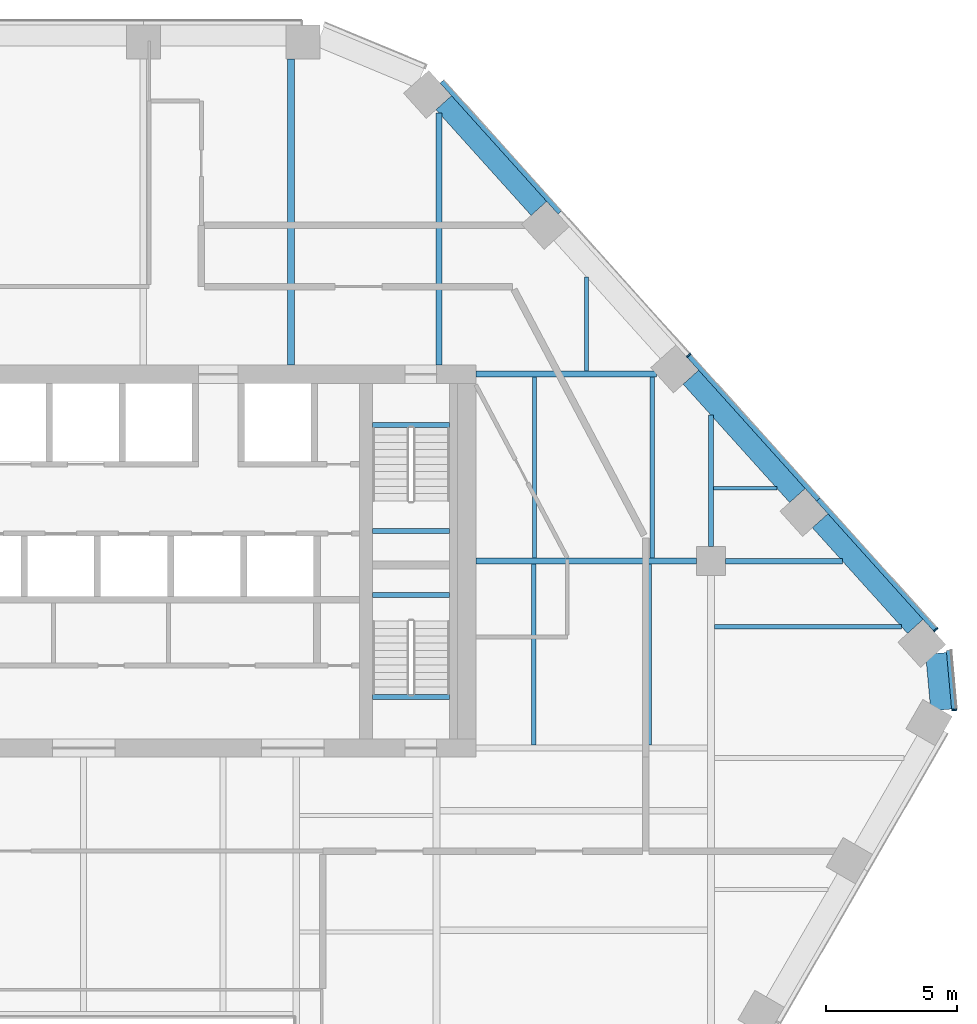
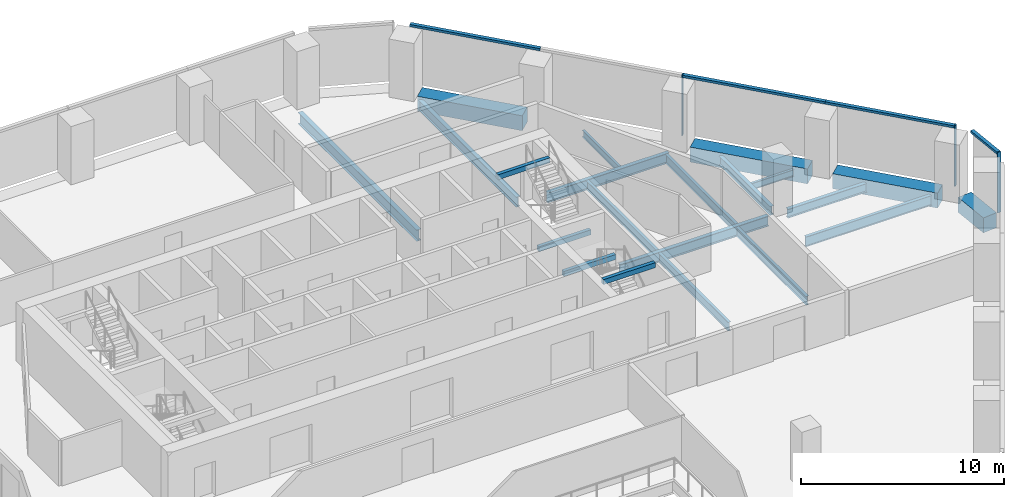
# One storey, part 8 of 16: 21 beams, 7 members, 2 elements without a shape of their own.
"""IFC4 building model written with IfcOpenShell, lengths in metres."""

from ifc_helpers import new_model, si_unit, direction, frame, origin, origin_2d, place, context, subcontext, project, spatial, rectangle, i_section, extrude, material, layer, layer_set, material_profile, profile_set, type_object, element, aggregate, save


model = new_model("IFC4")

# Units and contexts
model_context = context("Model", 3, precision=1e-05, world=origin(), true_north=direction((0.0, 1.0)))
body_context = subcontext(model_context, "Body", "Model", "MODEL_VIEW")
ifc_project = project(units=[si_unit("LENGTHUNIT", "METRE"), si_unit("AREAUNIT", "SQUARE_METRE"), si_unit("VOLUMEUNIT", "CUBIC_METRE"), si_unit("PLANEANGLEUNIT", "RADIAN"), si_unit("MASSUNIT", "GRAM", prefix="KILO")], contexts=[model_context])

# Site, building, storey
site_placement = place(None, origin())
site = spatial("IfcSite", under=ifc_project, at=site_placement, CompositionType="ELEMENT")
building_placement = place(site_placement, origin())
building = spatial("IfcBuilding", under=site, at=building_placement, Name="Isthmus Gate Tower", CompositionType="ELEMENT")
storey_placement = place(building_placement, frame((0.0, 0.0, 170.800048828125)))
storey = spatial("IfcBuildingStorey", under=building, at=storey_placement, Name="L42", CompositionType="ELEMENT", Elevation=170.800048828125)

# Curtain wall, member
ifc_material_1 = material(Name="Aluminium, pale champagne anodised", Category="aluminium")
ifc_layer = layer(ifc_material_1, 0.199951171875)
ifc_layer_set = layer_set([ifc_layer], Name="CW-1 UNITISED CURTAIN WALL 200 DEEP")
curtain_wall_type = type_object("IfcCurtainWallType", Name="CW-1 UNITISED CURTAIN WALL 200 DEEP", PredefinedType="NOTDEFINED", material=ifc_layer_set)
curtain_wall_1_placement = place(storey_placement, origin())
curtain_wall_1 = element("IfcCurtainWall", 1, at=curtain_wall_1_placement, inside=storey, type_object=curtain_wall_type, Name="CW-1 SE-NE L42", PredefinedType="NOTDEFINED")
ifc_material_2 = material(Name="Aluminium, pale champagne anodised", Category="aluminium")
ifc_material_profile_1 = material_profile(ifc_material_2, rectangle(XDim=0.06005859375, YDim=0.199951171875, at=origin_2d()), Name="60x200")
ifc_profile_set_1 = profile_set([ifc_material_profile_1], Name="Aluminium, pale champagne anodised")
member_type_1 = type_object("IfcMemberType", Name="CW-1 MULLION 60 X 200", PredefinedType="MULLION", material=ifc_profile_set_1)
member_1_placement = place(storey_placement, frame((33.307861328125, 1.804443359375, 0.0), z_axis=(0.0, 0.0, 1.0), x_axis=(-0.089396669717, 0.995996102123, 0.0)))
member_1 = element("IfcMember", 2, at=member_1_placement, type_object=member_type_1, Name="CW-1 mullion", PredefinedType="MULLION", context=body_context, shape_type="SweptSolid", body=[
    extrude(rectangle(XDim=0.06005859375, YDim=0.199951171875, at=origin_2d()), origin(), (0.0, 0.0, 1.0), 3.64990234375),
])

# Curtain wall, members
curtain_wall_2_placement = place(storey_placement, origin())
curtain_wall_2 = element("IfcCurtainWall", 3, at=curtain_wall_2_placement, inside=storey, type_object=curtain_wall_type, Name="CW-1 NE L42", PredefinedType="NOTDEFINED")
member_2_placement = place(storey_placement, frame((32.602783203125, 4.871337890625, 0.0), z_axis=(0.0, 0.0, 1.0), x_axis=(-0.669130606359, 0.743144825477, 0.0)))
member_2 = element("IfcMember", 4, at=member_2_placement, type_object=member_type_1, Name="CW-1 mullion", PredefinedType="MULLION", context=body_context, shape_type="SweptSolid", body=[
    extrude(rectangle(XDim=0.06005859375, YDim=0.199951171875, at=origin_2d()), origin(), (0.0, 0.0, 1.0), 3.64990234375),
])
member_3_placement = place(storey_placement, frame((23.14697265625, 15.373046875, 0.0), z_axis=(0.0, 0.0, 1.0), x_axis=(-0.669130606359, 0.743144825477, 0.0)))
member_3 = element("IfcMember", 5, at=member_3_placement, type_object=member_type_1, Name="CW-1 mullion", PredefinedType="MULLION", context=body_context, shape_type="SweptSolid", body=[
    extrude(rectangle(XDim=0.06005859375, YDim=0.199951171875, at=origin_2d()), origin(), (0.0, 0.0, 1.0), 3.64990234375),
])

# Member
ifc_material_3 = material(Name="Aluminium, pale champagne anodised", Category="aluminium")
ifc_material_profile_2 = material_profile(ifc_material_3, rectangle(XDim=0.199951171875, YDim=0.139892578125, at=origin_2d()), Name="200x140")
ifc_profile_set_2 = profile_set([ifc_material_profile_2], Name="Aluminium, pale champagne anodised")
member_type_2 = type_object("IfcMemberType", Name="CW-1 TRANSOM 200 X 140", PredefinedType="USERDEFINED", material=ifc_profile_set_2)
member_4_placement = place(storey_placement, frame((33.30517578125, 1.83447265625, 3.579833984375), z_axis=(-0.089395362867, 0.995996219419, 0.0), x_axis=(-0.995996219419, -0.089395362867, 0.0)))
member_4 = element("IfcMember", 6, at=member_4_placement, type_object=member_type_2, Name="CW-1 transom", ObjectType="TRANSOM", PredefinedType="USERDEFINED", context=body_context, shape_type="SweptSolid", body=[
    extrude(rectangle(XDim=0.199951171875, YDim=0.139892578125, at=origin_2d()), origin(), (0.0, 0.0, 1.0), 2.258544921875),
])

aggregate(curtain_wall_1, [member_1, member_4])

member_5_placement = place(storey_placement, frame((32.582763671875, 4.8935546875, 3.579833984375), z_axis=(-0.669138342957, 0.74313785934, 0.0), x_axis=(-0.74313785934, -0.669138342957, 0.0)))
member_5 = element("IfcMember", 7, at=member_5_placement, type_object=member_type_2, Name="CW-1 transom", ObjectType="TRANSOM", PredefinedType="USERDEFINED", context=body_context, shape_type="SweptSolid", body=[
    extrude(rectangle(XDim=0.199951171875, YDim=0.139892578125, at=origin_2d()), origin(), (0.0, 0.0, 1.0), 6.680908203125),
])

member_6_placement = place(storey_placement, frame((28.1123046875, 9.8583984375, 3.579833984375), z_axis=(-0.669123495435, 0.74315122812, 0.0), x_axis=(-0.74315122812, -0.669123495435, 0.0)))
member_6 = element("IfcMember", 8, at=member_6_placement, type_object=member_type_2, Name="CW-1 transom", ObjectType="TRANSOM", PredefinedType="USERDEFINED", context=body_context, shape_type="SweptSolid", body=[
    extrude(rectangle(XDim=0.199951171875, YDim=0.139892578125, at=origin_2d()), origin(), (0.0, 0.0, 1.0), 7.390625),
])

member_7_placement = place(storey_placement, frame((18.221435546875, 20.84326171875, 3.579833984375), z_axis=(-0.669102791064, 0.743169869538, 0.0), x_axis=(-0.743169869538, -0.669102791064, 0.0)))
member_7 = element("IfcMember", 9, at=member_7_placement, type_object=member_type_2, Name="CW-1 transom", ObjectType="TRANSOM", PredefinedType="USERDEFINED", context=body_context, shape_type="SweptSolid", body=[
    extrude(rectangle(XDim=0.199951171875, YDim=0.139892578125, at=origin_2d()), origin(), (0.0, 0.0, 1.0), 6.74072265625),
])

aggregate(curtain_wall_2, [member_2, member_5, member_6, member_3, member_7])

# Beams
ifc_material_4 = material(Name="Concrete f'c 60 MPa", Category="concrete")
ifc_material_profile_3 = material_profile(ifc_material_4, rectangle(XDim=0.800048828125, YDim=0.89990234375, at=origin_2d()), Name="RC 800X900")
ifc_profile_set_3 = profile_set([ifc_material_profile_3], Name="Concrete f'c 60 MPa")
beam_type_1 = type_object("IfcBeamType", Name="RC SPANDREL 800 X 900", PredefinedType="SPANDREL", material=ifc_profile_set_3)
beam_1_placement = place(storey_placement, frame((13.7744140625, 25.03515625, -0.449951171875), z_axis=(0.669118419563, -0.743155798337, 0.0), x_axis=(0.743155798337, 0.669118419563, 0.0)))
element("IfcBeam", 10, at=beam_1_placement, inside=storey, type_object=beam_type_1, Name="str-spandrel-L42-01", PredefinedType="SPANDREL", context=body_context, shape_type="SweptSolid", body=[
    extrude(rectangle(XDim=0.800048828125, YDim=0.89990234375, at=origin_2d()), origin(), (0.0, 0.0, 1.0), 5.44091796875),
])
beam_2_placement = place(storey_placement, frame((23.230224609375, 14.533203125, -0.449951171875), z_axis=(0.669141874065, -0.743134679835, 0.0), x_axis=(0.743134679835, 0.669141874065, 0.0)))
element("IfcBeam", 11, at=beam_2_placement, inside=storey, type_object=beam_type_1, Name="str-spandrel-L42-03", PredefinedType="SPANDREL", context=body_context, shape_type="SweptSolid", body=[
    extrude(rectangle(XDim=0.800048828125, YDim=0.89990234375, at=origin_2d()), origin(), (0.0, 0.0, 1.0), 6.0908203125),
])
beam_3_placement = place(storey_placement, frame((28.17578125, 9.040771484375, -0.449951171875), z_axis=(0.669140732593, -0.74313570765, 0.0), x_axis=(0.74313570765, 0.669140732593, 0.0)))
element("IfcBeam", 12, at=beam_3_placement, inside=storey, type_object=beam_type_1, Name="str-spandrel-L42-04", PredefinedType="SPANDREL", context=body_context, shape_type="SweptSolid", body=[
    extrude(rectangle(XDim=0.800048828125, YDim=0.89990234375, at=origin_2d()), origin(), (0.0, 0.0, 1.0), 5.440673828125),
])
beam_4_placement = place(storey_placement, frame((32.61181640625, 3.964599609375, -0.449951171875), z_axis=(0.089421511639, -0.995993872098, 0.0), x_axis=(0.995993872098, 0.089421511639, 0.0)))
element("IfcBeam", 13, at=beam_4_placement, inside=storey, type_object=beam_type_1, Name="str-spandrel-L42-05", PredefinedType="SPANDREL", context=body_context, shape_type="SweptSolid", body=[
    extrude(rectangle(XDim=0.800048828125, YDim=0.89990234375, at=origin_2d()), origin(), (0.0, 0.0, 1.0), 2.17333984375),
])
ifc_material_5 = material(Name="Concrete f'c 40 MPa", Category="concrete")
ifc_material_profile_4 = material_profile(ifc_material_5, rectangle(XDim=0.199951171875, YDim=0.300048828125, at=origin_2d()), Name="STAIR LANDING BEAM RC 200 X 300")
ifc_profile_set_4 = profile_set([ifc_material_profile_4], Name="Concrete f'c 40 MPa")
beam_type_2 = type_object("IfcBeamType", Name="STAIR LANDING BEAM RC 200 X 300", PredefinedType="BEAM", material=ifc_profile_set_4)
for number, where, z_axis, x_axis, name in (
    (14, (11.050048828125, 8.64990234375, 1.474853515625), (1.0, 0.0, 0.0), (0.0, 1.0, 0.0), "L42 ST2 landing beam 1"),
    (15, (11.050048828125, 12.7001953125, 3.349853515625), (1.0, 0.0, 0.0), (0.0, 1.0, 0.0), "L42 ST2 floor-edge seat beam"),
    (16, (11.050048828125, 6.199951171875, 1.474853515625), (1.0, 0.0, 0.0), (0.0, 1.0, 0.0), "L42 ST8 landing beam 1"),
    (17, (11.050048828125, 2.2998046875, 3.349853515625), (1.0, 0.0, 0.0), (0.0, 1.0, 0.0), "L42 ST8 floor-edge seat beam"),
):
    element("IfcBeam", number, at=place(storey_placement, frame(where, z_axis=z_axis, x_axis=x_axis)), inside=storey, type_object=beam_type_2, Name=name, PredefinedType="BEAM", context=body_context, shape_type="SweptSolid", body=[
        extrude(rectangle(XDim=0.199951171875, YDim=0.300048828125, at=origin_2d()), origin(), (0.0, 0.0, 1.0), 2.949951171875),
    ])
ifc_material_6 = material(Name="Structural steel ASTM A992 Gr 50", Category="steel")
ifc_material_profile_5 = material_profile(ifc_material_6, i_section(OverallWidth=0.1396484375, OverallDepth=0.4033203125, WebThickness=0.00634765625, FlangeThickness=0.010986328125, at=origin_2d()), Name="W16X31")
ifc_profile_set_5 = profile_set([ifc_material_profile_5], Name="Structural steel ASTM A992 Gr 50")
beam_type_3 = type_object("IfcBeamType", Name="STEEL FLOOR BEAM W16X31", PredefinedType="JOIST", material=ifc_profile_set_5)
beam_5_placement = place(storey_placement, frame((19.23681640625, 14.764404296875, -0.3515625), z_axis=(0.0, 1.0, 0.0), x_axis=(-1.0, 0.0, 0.0)))
element("IfcBeam", 18, at=beam_5_placement, inside=storey, type_object=beam_type_3, Name="str-beam-L42-05-07", PredefinedType="JOIST", context=body_context, shape_type="SweptSolid", body=[
    extrude(i_section(OverallWidth=0.1396484375, OverallDepth=0.4033203125, WebThickness=0.00634765625, FlangeThickness=0.010986328125, at=origin_2d()), origin(), (0.0, 0.0, 1.0), 3.6064453125),
])
beam_6_placement = place(storey_placement, frame((24.104736328125, 10.284423828125, -0.3515625), z_axis=(1.0, 0.0, 0.0), x_axis=(0.0, 1.0, 0.0)))
element("IfcBeam", 19, at=beam_6_placement, inside=storey, type_object=beam_type_3, Name="str-beam-L42-15-00", PredefinedType="JOIST", context=body_context, shape_type="SweptSolid", body=[
    extrude(i_section(OverallWidth=0.1396484375, OverallDepth=0.4033203125, WebThickness=0.00634765625, FlangeThickness=0.010986328125, at=origin_2d()), origin(), (0.0, 0.0, 1.0), 2.412841796875),
])
ifc_material_7 = material(Name="Structural steel ASTM A992 Gr 50", Category="steel")
ifc_material_profile_6 = material_profile(ifc_material_7, i_section(OverallWidth=0.1650390625, OverallDepth=0.52392578125, WebThickness=0.009521484375, FlangeThickness=0.010986328125, at=origin_2d()), Name="W21X44")
ifc_profile_set_6 = profile_set([ifc_material_profile_6], Name="Structural steel ASTM A992 Gr 50")
beam_type_4 = type_object("IfcBeamType", Name="STEEL FLOOR BEAM W21X44", PredefinedType="JOIST", material=ifc_profile_set_6)
for number, where, z_axis, x_axis, name in (
    (20, (17.25, 7.6142578125, -0.412109375), (0.0, 1.0, 0.0), (-1.0, 0.0, 0.0), "str-beam-L42-13-00"),
    (21, (21.75, 7.6142578125, -0.412109375), (0.0, 1.0, 0.0), (-1.0, 0.0, 0.0), "str-beam-L42-13-01"),
    (22, (17.216552734375, 0.46435546875, -0.412109375), (0.0, 1.0, 0.0), (-1.0, 0.0, 0.0), "str-beam-L42-14-00"),
    (23, (21.64990234375, 0.46435546875, -0.412109375), (0.0, 1.0, 0.0), (-1.0, 0.0, 0.0), "str-beam-L42-14-01"),
):
    element("IfcBeam", number, at=place(storey_placement, frame(where, z_axis=z_axis, x_axis=x_axis)), inside=storey, type_object=beam_type_4, Name=name, PredefinedType="JOIST", context=body_context, shape_type="SweptSolid", body=[
        extrude(i_section(OverallWidth=0.1650390625, OverallDepth=0.52392578125, WebThickness=0.009521484375, FlangeThickness=0.010986328125, at=origin_2d()), origin(), (0.0, 0.0, 1.0), 6.92138671875),
    ])
ifc_material_8 = material(Name="Structural steel ASTM A992 Gr 50", Category="steel")
ifc_material_profile_7 = material_profile(ifc_material_8, i_section(OverallWidth=0.177734375, OverallDepth=0.60009765625, WebThickness=0.009521484375, FlangeThickness=0.0126953125, at=origin_2d()), Name="W24X55")
ifc_profile_set_7 = profile_set([ifc_material_profile_7], Name="Structural steel ASTM A992 Gr 50")
beam_type_5 = type_object("IfcBeamType", Name="STEEL FLOOR BEAM W24X55", PredefinedType="JOIST", material=ifc_profile_set_7)
beam_7_placement = place(storey_placement, frame((24.13330078125, 4.987548828125, -0.4501953125), z_axis=(1.0, 0.0, 0.0), x_axis=(0.0, 1.0, 0.0)))
element("IfcBeam", 24, at=beam_7_placement, inside=storey, type_object=beam_type_5, Name="str-beam-L42-16-02", PredefinedType="JOIST", context=body_context, shape_type="SweptSolid", body=[
    extrude(i_section(OverallWidth=0.177734375, OverallDepth=0.60009765625, WebThickness=0.009521484375, FlangeThickness=0.0126953125, at=origin_2d()), origin(), (0.0, 0.0, 1.0), 7.15380859375),
])
ifc_material_9 = material(Name="Structural steel ASTM A992 Gr 50", Category="steel")
ifc_material_profile_8 = material_profile(ifc_material_9, i_section(OverallWidth=0.228515625, OverallDepth=0.603271484375, WebThickness=0.010986328125, FlangeThickness=0.014404296875, at=origin_2d()), Name="W24X68")
ifc_profile_set_8 = profile_set([ifc_material_profile_8], Name="Structural steel ASTM A992 Gr 50")
beam_type_6 = type_object("IfcBeamType", Name="STEEL FLOOR BEAM W24X68", PredefinedType="JOIST", material=ifc_profile_set_8)
beam_8_placement = place(storey_placement, frame((13.583984375, 15.0, -0.45166015625), z_axis=(0.0, 1.0, 0.0), x_axis=(-1.0, 0.0, 0.0)))
element("IfcBeam", 25, at=beam_8_placement, inside=storey, type_object=beam_type_6, Name="str-beam-L42-05-06", PredefinedType="JOIST", context=body_context, shape_type="SweptSolid", body=[
    extrude(i_section(OverallWidth=0.228515625, OverallDepth=0.603271484375, WebThickness=0.010986328125, FlangeThickness=0.014404296875, at=origin_2d()), origin(), (0.0, 0.0, 1.0), 9.648681640625),
])
ifc_material_10 = material(Name="Structural steel ASTM A992 Gr 50", Category="steel")
ifc_material_profile_9 = material_profile(ifc_material_10, i_section(OverallWidth=0.25390625, OverallDepth=0.679443359375, WebThickness=0.010986328125, FlangeThickness=0.015869140625, at=origin_2d()), Name="W27X84")
ifc_profile_set_9 = profile_set([ifc_material_profile_9], Name="Structural steel ASTM A992 Gr 50")
beam_type_7 = type_object("IfcBeamType", Name="STEEL FLOOR BEAM W27X84", PredefinedType="JOIST", material=ifc_profile_set_9)
beam_9_placement = place(storey_placement, frame((7.93115234375, 15.0, -0.48974609375), z_axis=(0.0, 1.0, 0.0), x_axis=(-1.0, 0.0, 0.0)))
element("IfcBeam", 26, at=beam_9_placement, inside=storey, type_object=beam_type_7, Name="str-beam-L42-05-05", PredefinedType="JOIST", context=body_context, shape_type="SweptSolid", body=[
    extrude(i_section(OverallWidth=0.25390625, OverallDepth=0.679443359375, WebThickness=0.010986328125, FlangeThickness=0.015869140625, at=origin_2d()), origin(), (0.0, 0.0, 1.0), 11.699951171875),
])
ifc_material_11 = material(Name="Structural steel ASTM A992 Gr 50", Category="steel")
ifc_material_profile_10 = material_profile(ifc_material_11, i_section(OverallWidth=0.20947265625, OverallDepth=0.533447265625, WebThickness=0.009521484375, FlangeThickness=0.015869140625, at=origin_2d()), Name="W21X62")
ifc_profile_set_10 = profile_set([ifc_material_profile_10], Name="Structural steel ASTM A992 Gr 50")
beam_type_8 = type_object("IfcBeamType", Name="STEEL GIRDER W21X62", PredefinedType="BEAM", material=ifc_profile_set_10)
beam_10_placement = place(storey_placement, frame((24.550048828125, 7.5, -0.416748046875), z_axis=(1.0, 0.0, 0.0), x_axis=(0.0, 1.0, 0.0)))
element("IfcBeam", 27, at=beam_10_placement, inside=storey, type_object=beam_type_8, Name="str-girder-L42-06", PredefinedType="BEAM", context=body_context, shape_type="SweptSolid", body=[
    extrude(i_section(OverallWidth=0.20947265625, OverallDepth=0.533447265625, WebThickness=0.009521484375, FlangeThickness=0.015869140625, at=origin_2d()), origin(), (0.0, 0.0, 1.0), 4.474853515625),
])
beam_11_placement = place(storey_placement, frame((24.0, 8.050048828125, -0.416748046875), z_axis=(0.0, 1.0, 0.0), x_axis=(-1.0, 0.0, 0.0)))
element("IfcBeam", 28, at=beam_11_placement, inside=storey, type_object=beam_type_8, Name="str-girder-L42-12", PredefinedType="BEAM", context=body_context, shape_type="SweptSolid", body=[
    extrude(i_section(OverallWidth=0.20947265625, OverallDepth=0.533447265625, WebThickness=0.009521484375, FlangeThickness=0.015869140625, at=origin_2d()), origin(), (0.0, 0.0, 1.0), 5.030517578125),
])
ifc_material_12 = material(Name="Structural steel ASTM A992 Gr 50", Category="steel")
ifc_material_profile_11 = material_profile(ifc_material_12, i_section(OverallWidth=0.228515625, OverallDepth=0.603271484375, WebThickness=0.010986328125, FlangeThickness=0.014404296875, at=origin_2d()), Name="W24X68")
ifc_profile_set_11 = profile_set([ifc_material_profile_11], Name="Structural steel ASTM A992 Gr 50")
beam_type_9 = type_object("IfcBeamType", Name="STEEL GIRDER W24X68", PredefinedType="BEAM", material=ifc_profile_set_11)
beam_12_placement = place(storey_placement, frame((15.0, 14.64990234375, -0.45166015625), z_axis=(1.0, 0.0, 0.0), x_axis=(0.0, 1.0, 0.0)))
element("IfcBeam", 29, at=beam_12_placement, inside=storey, type_object=beam_type_9, Name="str-girder-L42-16", PredefinedType="BEAM", context=body_context, shape_type="SweptSolid", body=[
    extrude(i_section(OverallWidth=0.228515625, OverallDepth=0.603271484375, WebThickness=0.010986328125, FlangeThickness=0.014404296875, at=origin_2d()), origin(), (0.0, 0.0, 1.0), 6.9140625),
])
ifc_material_13 = material(Name="Structural steel ASTM A992 Gr 50", Category="steel")
ifc_material_profile_12 = material_profile(ifc_material_13, i_section(OverallWidth=0.228515625, OverallDepth=0.6064453125, WebThickness=0.010986328125, FlangeThickness=0.017578125, at=origin_2d()), Name="W24X76")
ifc_profile_set_12 = profile_set([ifc_material_profile_12], Name="Structural steel ASTM A992 Gr 50")
beam_type_10 = type_object("IfcBeamType", Name="STEEL GIRDER W24X76", PredefinedType="BEAM", material=ifc_profile_set_12)
beam_13_placement = place(storey_placement, frame((15.0, 7.5, -0.453369140625), z_axis=(1.0, 0.0, 0.0), x_axis=(0.0, 1.0, 0.0)))
element("IfcBeam", 30, at=beam_13_placement, inside=storey, type_object=beam_type_10, Name="str-girder-L42-05", PredefinedType="BEAM", context=body_context, shape_type="SweptSolid", body=[
    extrude(i_section(OverallWidth=0.228515625, OverallDepth=0.6064453125, WebThickness=0.010986328125, FlangeThickness=0.017578125, at=origin_2d()), origin(), (0.0, 0.0, 1.0), 8.449951171875),
])

save(model, "model.ifc")
